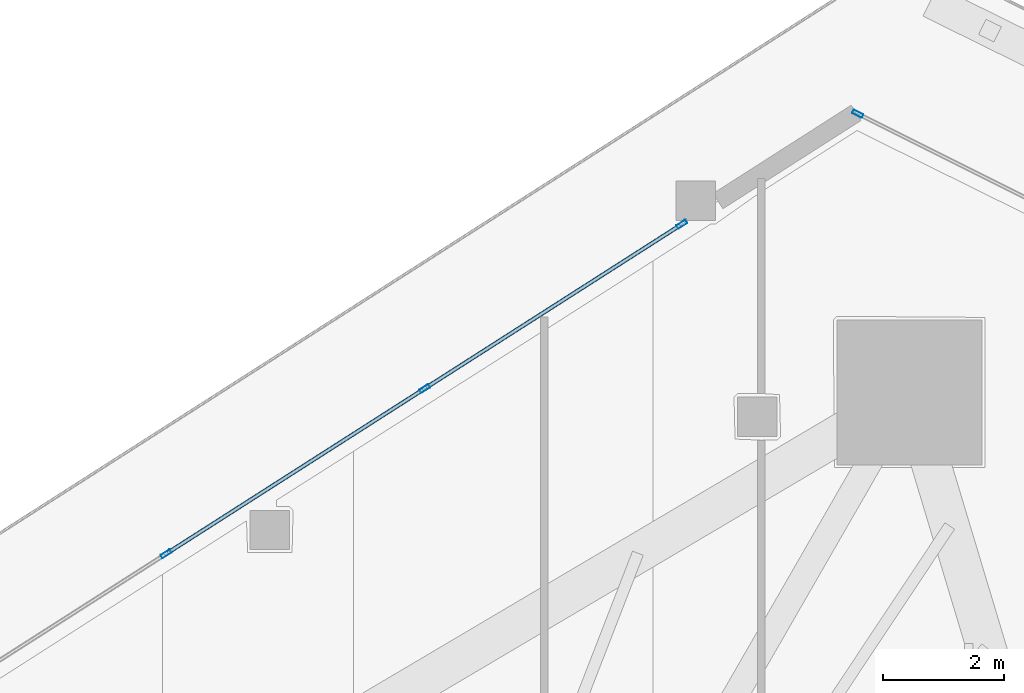
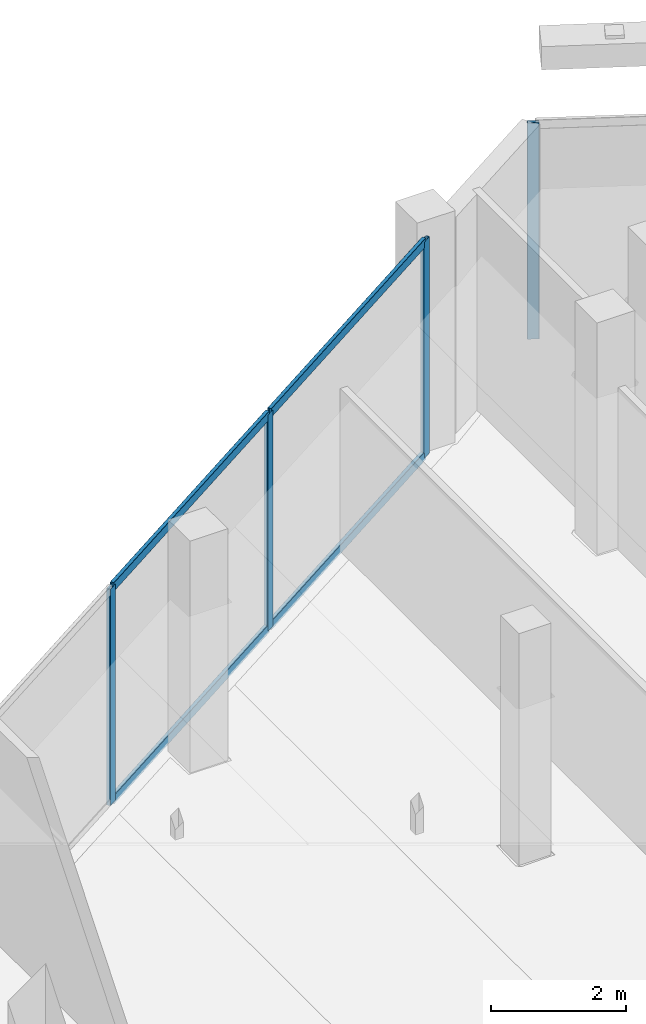
# One storey, part 22 of 46: 8 members, 2 elements without a shape of their own.
"""IFC4 building model written with IfcOpenShell, lengths in metres."""

from ifc_helpers import new_model, si_unit, direction, frame, origin, origin_2d, place, context, subcontext, project, spatial, hollow_rectangle, extrude, material, layer, layer_set, material_profile, profile_set, type_object, element, aggregate, save


model = new_model("IFC4")

# Units and contexts
model_context = context("Model", 3, precision=1e-05, world=origin(), true_north=direction((0.0, 1.0)))
body_context = subcontext(model_context, "Body", "Model", "MODEL_VIEW")
ifc_project = project(units=[si_unit("LENGTHUNIT", "METRE"), si_unit("AREAUNIT", "SQUARE_METRE"), si_unit("VOLUMEUNIT", "CUBIC_METRE"), si_unit("PLANEANGLEUNIT", "RADIAN"), si_unit("MASSUNIT", "GRAM", prefix="KILO")], contexts=[model_context])

# Site, building, storey
site_placement = place(None, origin())
site = spatial("IfcSite", under=ifc_project, at=site_placement, CompositionType="ELEMENT")
building_placement = place(site_placement, origin())
building = spatial("IfcBuilding", under=site, at=building_placement, Name="Qorvath Tower", CompositionType="ELEMENT")
storey_placement = place(building_placement, frame((0.0, 0.0, 87.0)))
storey = spatial("IfcBuildingStorey", under=building, at=storey_placement, Name="L19", CompositionType="ELEMENT", Elevation=87.0)

# Curtain wall, member
ifc_material_1 = material(Name="Anodised aluminium and triple low-E glass", Category="aluminium")
ifc_layer = layer(ifc_material_1, 0.179931640625)
ifc_layer_set = layer_set([ifc_layer], Name="CW-SYS-2")
curtain_wall_type = type_object("IfcCurtainWallType", Name="CW-SYS-2", PredefinedType="NOTDEFINED", material=ifc_layer_set)
curtain_wall_1_placement = place(storey_placement, origin())
curtain_wall_1 = element("IfcCurtainWall", 1, at=curtain_wall_1_placement, inside=storey, type_object=curtain_wall_type, Name="Curtain Wall CW-2 CW-T-L19-15.1", PredefinedType="NOTDEFINED")
ifc_material_2 = material(Name="Anodised aluminium 6063-T6", Category="aluminium")
ifc_material_profile_1 = material_profile(ifc_material_2, hollow_rectangle(XDim=0.06494140625, YDim=0.179931640625, WallThickness=0.00341796875, InnerFilletRadius=0.00341796875, OuterFilletRadius=0.007080078125, at=origin_2d()), Name="CWM 180x65")
ifc_profile_set_1 = profile_set([ifc_material_profile_1], Name="Anodised aluminium 6063-T6")
member_type_1 = type_object("IfcMemberType", Name="CWM-180", PredefinedType="MULLION", material=ifc_profile_set_1)
member_1_placement = place(storey_placement, frame((-15.31982421875, 31.9384765625, 0.0), z_axis=(0.0, 0.0, 1.0), x_axis=(-0.447190081713, -0.894438947507, 0.0)))
member_1 = element("IfcMember", 2, at=member_1_placement, type_object=member_type_1, Name="CW-2 mullion 2", PredefinedType="MULLION", context=body_context, shape_type="SweptSolid", body=[
    extrude(hollow_rectangle(XDim=0.06494140625, YDim=0.179931640625, WallThickness=0.00341796875, InnerFilletRadius=0.00341796875, OuterFilletRadius=0.007080078125, at=origin_2d()), origin(), (0.0, 0.0, 1.0), 3.919921875),
])
aggregate(curtain_wall_1, [member_1])

# Curtain wall, members
curtain_wall_2_placement = place(storey_placement, origin())
curtain_wall_2 = element("IfcCurtainWall", 3, at=curtain_wall_2_placement, inside=storey, type_object=curtain_wall_type, Name="Curtain Wall CW-2 CW-T-L19-16.2", PredefinedType="NOTDEFINED")
member_2_placement = place(storey_placement, frame((-18.228759765625, 30.1123046875, 0.0), z_axis=(0.0, 0.0, 1.0), x_axis=(0.538530577432, -0.842605967918, 0.0)))
member_2 = element("IfcMember", 4, at=member_2_placement, type_object=member_type_1, Name="CW-2 mullion 1", PredefinedType="MULLION", context=body_context, shape_type="SweptSolid", body=[
    extrude(hollow_rectangle(XDim=0.06494140625, YDim=0.179931640625, WallThickness=0.00341796875, InnerFilletRadius=0.00341796875, OuterFilletRadius=0.007080078125, at=origin_2d()), origin(), (0.0, 0.0, 1.0), 3.919921875),
])
member_3_placement = place(storey_placement, frame((-22.47705078125, 27.397216796875, 0.0), z_axis=(0.0, 0.0, 1.0), x_axis=(0.538530577432, -0.842605967918, 0.0)))
member_3 = element("IfcMember", 5, at=member_3_placement, type_object=member_type_1, Name="CW-2 mullion 2", PredefinedType="MULLION", context=body_context, shape_type="SweptSolid", body=[
    extrude(hollow_rectangle(XDim=0.06494140625, YDim=0.179931640625, WallThickness=0.00341796875, InnerFilletRadius=0.00341796875, OuterFilletRadius=0.007080078125, at=origin_2d()), origin(), (0.0, 0.0, 1.0), 3.919921875),
])
member_4_placement = place(storey_placement, frame((-26.752685546875, 24.66455078125, 0.0), z_axis=(0.0, 0.0, 1.0), x_axis=(0.538530577432, -0.842605967918, 0.0)))
member_4 = element("IfcMember", 6, at=member_4_placement, type_object=member_type_1, Name="CW-2 mullion 3", PredefinedType="MULLION", context=body_context, shape_type="SweptSolid", body=[
    extrude(hollow_rectangle(XDim=0.06494140625, YDim=0.179931640625, WallThickness=0.00341796875, InnerFilletRadius=0.00341796875, OuterFilletRadius=0.007080078125, at=origin_2d()), origin(), (0.0, 0.0, 1.0), 3.919921875),
])
ifc_material_3 = material(Name="Anodised aluminium 6063-T6", Category="aluminium")
ifc_material_profile_2 = material_profile(ifc_material_3, hollow_rectangle(XDim=0.06494140625, YDim=0.159912109375, WallThickness=0.00341796875, InnerFilletRadius=0.00341796875, OuterFilletRadius=0.007080078125, at=origin_2d()), Name="CWT 160x65")
ifc_profile_set_2 = profile_set([ifc_material_profile_2], Name="Anodised aluminium 6063-T6")
member_type_2 = type_object("IfcMemberType", Name="CWT-160", PredefinedType="USERDEFINED", material=ifc_profile_set_2)
member_5_placement = place(storey_placement, frame((-18.256103515625, 30.094970703125, 0.032470703125), z_axis=(-0.842611552853, -0.538521838925, 0.0), x_axis=(0.538521838925, -0.842611552853, 0.0)))
member_5 = element("IfcMember", 7, at=member_5_placement, type_object=member_type_2, Name="CW-2 transom 1.1", ObjectType="TRANSOM", PredefinedType="USERDEFINED", context=body_context, shape_type="SweptSolid", body=[
    extrude(hollow_rectangle(XDim=0.06494140625, YDim=0.159912109375, WallThickness=0.00341796875, InnerFilletRadius=0.00341796875, OuterFilletRadius=0.007080078125, at=origin_2d()), origin(), (0.0, 0.0, 1.0), 4.976806640625),
])
member_6_placement = place(storey_placement, frame((-18.256103515625, 30.094970703125, 3.887451171875), z_axis=(-0.842611552853, -0.538521838925, 0.0), x_axis=(0.538521838925, -0.842611552853, 0.0)))
member_6 = element("IfcMember", 8, at=member_6_placement, type_object=member_type_2, Name="CW-2 transom 1.2", ObjectType="TRANSOM", PredefinedType="USERDEFINED", context=body_context, shape_type="SweptSolid", body=[
    extrude(hollow_rectangle(XDim=0.06494140625, YDim=0.159912109375, WallThickness=0.00341796875, InnerFilletRadius=0.00341796875, OuterFilletRadius=0.007080078125, at=origin_2d()), origin(), (0.0, 0.0, 1.0), 4.976806640625),
])
member_7_placement = place(storey_placement, frame((-22.50439453125, 27.379638671875, 0.032470703125), z_axis=(-0.84262438771, -0.538501756019, 0.0), x_axis=(0.538501756019, -0.84262438771, 0.0)))
member_7 = element("IfcMember", 9, at=member_7_placement, type_object=member_type_2, Name="CW-2 transom 2.1", ObjectType="TRANSOM", PredefinedType="USERDEFINED", context=body_context, shape_type="SweptSolid", body=[
    extrude(hollow_rectangle(XDim=0.06494140625, YDim=0.159912109375, WallThickness=0.00341796875, InnerFilletRadius=0.00341796875, OuterFilletRadius=0.007080078125, at=origin_2d()), origin(), (0.0, 0.0, 1.0), 5.00927734375),
])
member_8_placement = place(storey_placement, frame((-22.50439453125, 27.379638671875, 3.887451171875), z_axis=(-0.84262438771, -0.538501756019, 0.0), x_axis=(0.538501756019, -0.84262438771, 0.0)))
member_8 = element("IfcMember", 10, at=member_8_placement, type_object=member_type_2, Name="CW-2 transom 2.2", ObjectType="TRANSOM", PredefinedType="USERDEFINED", context=body_context, shape_type="SweptSolid", body=[
    extrude(hollow_rectangle(XDim=0.06494140625, YDim=0.159912109375, WallThickness=0.00341796875, InnerFilletRadius=0.00341796875, OuterFilletRadius=0.007080078125, at=origin_2d()), origin(), (0.0, 0.0, 1.0), 5.00927734375),
])
aggregate(curtain_wall_2, [member_2, member_3, member_4, member_5, member_6, member_7, member_8])

save(model, "model.ifc")
